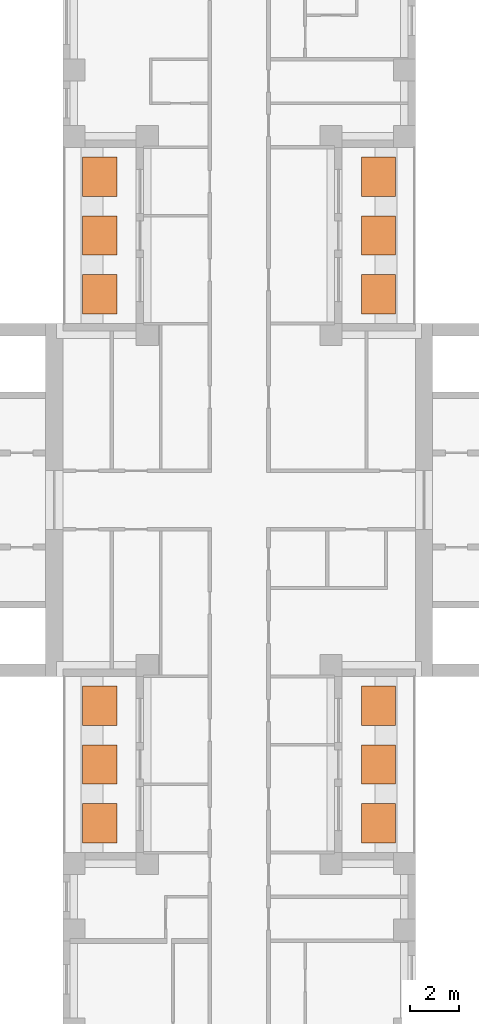
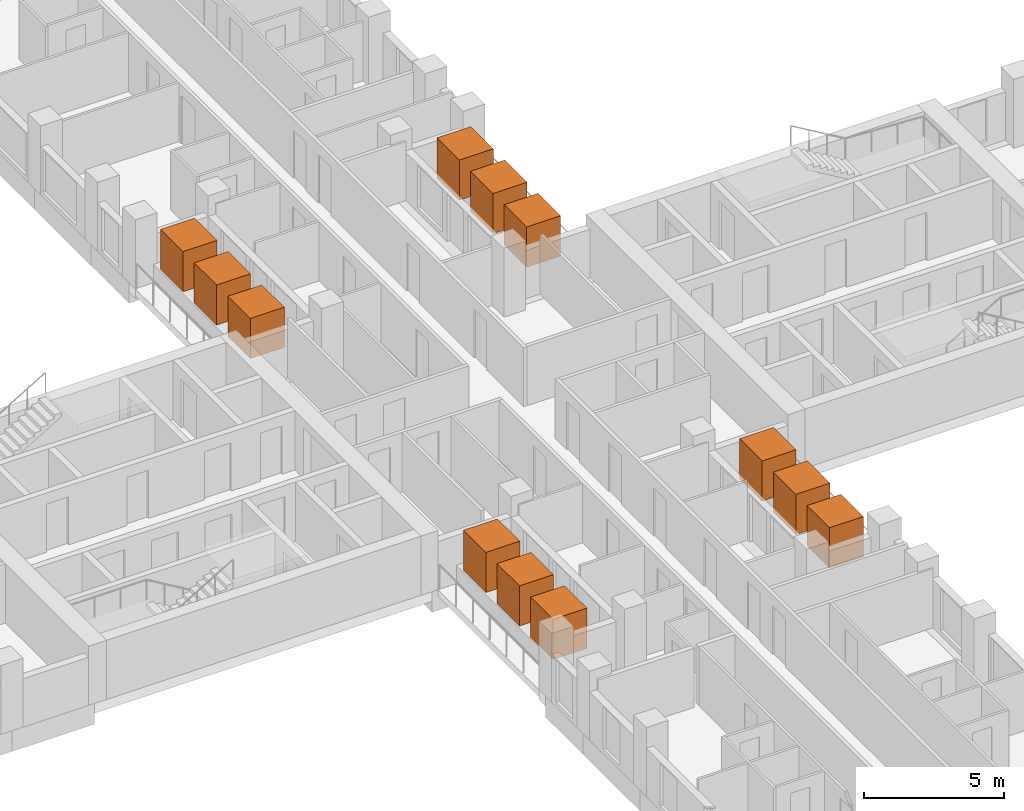
# One storey, part 15 of 15: 12 geographic elements.
"""IFC4 building model written with IfcOpenShell, lengths in metres."""

from ifc_helpers import new_model, si_unit, direction, frame, origin, origin_2d, place, context, subcontext, project, spatial, rectangle, extrude, material, element, save


model = new_model("IFC4")

# Units and contexts
model_context = context("Model", 3, precision=1e-05, world=origin(), true_north=direction((0.0, 1.0)))
body_context = subcontext(model_context, "Body", "Model", "MODEL_VIEW")
ifc_project = project(units=[si_unit("LENGTHUNIT", "METRE"), si_unit("AREAUNIT", "SQUARE_METRE"), si_unit("VOLUMEUNIT", "CUBIC_METRE"), si_unit("PLANEANGLEUNIT", "RADIAN"), si_unit("MASSUNIT", "GRAM", prefix="KILO")], contexts=[model_context])

# Site, building, storey
site_placement = place(None, origin())
site = spatial("IfcSite", under=ifc_project, at=site_placement, CompositionType="ELEMENT")
building_placement = place(site_placement, origin())
building = spatial("IfcBuilding", under=site, at=building_placement, Name="Fustian Cross Tower", CompositionType="ELEMENT")
storey_placement = place(building_placement, frame((0.0, 0.0, 53.699951171875)))
storey = spatial("IfcBuildingStorey", under=building, at=storey_placement, Name="L16", CompositionType="ELEMENT", Elevation=53.699951171875)

# Geographic elements
ifc_material = material(Name="Evergreen foliage")
for number, where, z_axis, x_axis, name in (
    (1, (5.68994140625, 8.39990234375, 0.800048828125), (0.0, 0.0, 1.0), (1.0, 0.0, 0.0), "TREE field maple"),
    (2, (5.68994140625, 10.800048828125, 0.800048828125), (0.0, 0.0, 1.0), (1.0, 0.0, 0.0), "TREE field maple"),
    (3, (5.68994140625, 13.199951171875, 0.800048828125), (0.0, 0.0, 1.0), (1.0, 0.0, 0.0), "TREE field maple"),
    (4, (-5.68994140625, 8.39990234375, 0.800048828125), (0.0, 0.0, 1.0), (1.0, 0.0, 0.0), "TREE field maple"),
    (5, (-5.68994140625, 10.800048828125, 0.800048828125), (0.0, 0.0, 1.0), (1.0, 0.0, 0.0), "TREE field maple"),
    (6, (-5.68994140625, 13.199951171875, 0.800048828125), (0.0, 0.0, 1.0), (1.0, 0.0, 0.0), "TREE field maple"),
    (7, (5.68994140625, -13.199951171875, 0.800048828125), (0.0, 0.0, 1.0), (1.0, 0.0, 0.0), "TREE field maple"),
    (8, (5.68994140625, -10.800048828125, 0.800048828125), (0.0, 0.0, 1.0), (1.0, 0.0, 0.0), "TREE field maple"),
    (9, (5.68994140625, -8.39990234375, 0.800048828125), (0.0, 0.0, 1.0), (1.0, 0.0, 0.0), "TREE field maple"),
    (10, (-5.68994140625, -13.199951171875, 0.800048828125), (0.0, 0.0, 1.0), (1.0, 0.0, 0.0), "TREE field maple"),
    (11, (-5.68994140625, -10.800048828125, 0.800048828125), (0.0, 0.0, 1.0), (1.0, 0.0, 0.0), "TREE field maple"),
    (12, (-5.68994140625, -8.39990234375, 0.800048828125), (0.0, 0.0, 1.0), (1.0, 0.0, 0.0), "TREE field maple"),
):
    element("IfcGeographicElement", number, at=place(storey_placement, frame(where, z_axis=z_axis, x_axis=x_axis)), inside=storey, material=ifc_material, Name=name, ObjectType="VEGETATION", PredefinedType="USERDEFINED", context=body_context, shape_type="SweptSolid", body=[
        extrude(rectangle(XDim=1.39990234375, YDim=1.60009765625, at=origin_2d()), origin(), (0.0, 0.0, 1.0), 1.75),
    ])

save(model, "model.ifc")
